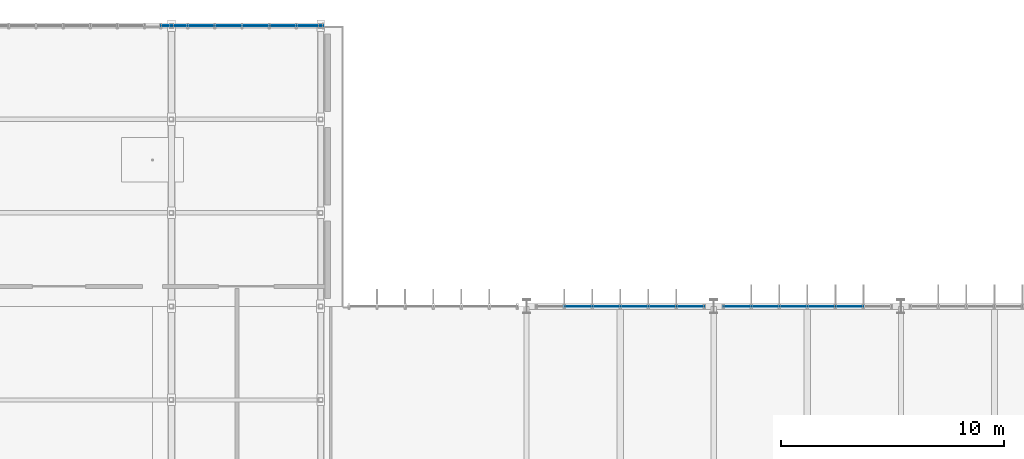
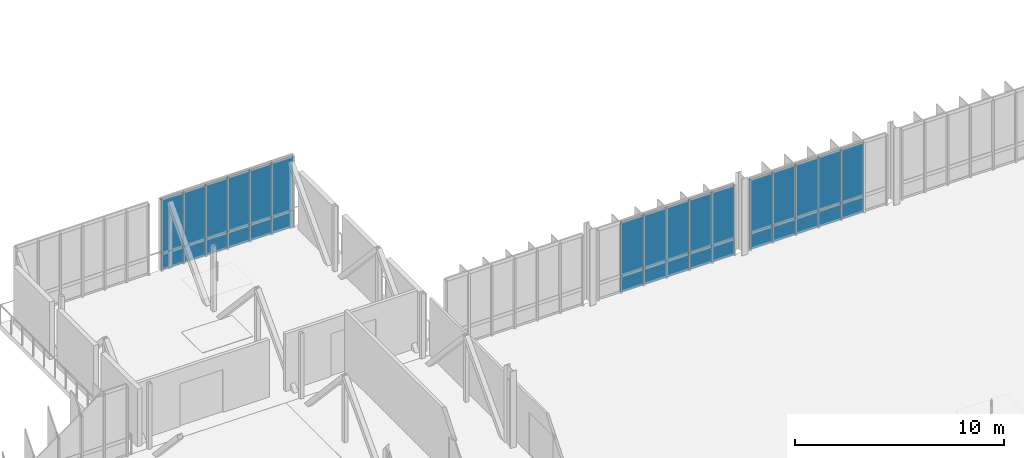
# One storey, part 93 of 139: 32 plates, 3 elements without a shape of their own.
"""IFC4 building model written with IfcOpenShell, lengths in metres."""

from ifc_helpers import new_model, si_unit, derived_unit, direction, frame, origin, origin_2d, place, context, subcontext, project, spatial, rectangle, extrude, material, layer, layer_set, type_object, element, aggregate, save


model = new_model("IFC4")

# Units and contexts
model_context = context("Model", 3, precision=1e-05, world=origin(), true_north=direction((0.0, 1.0)))
body_context = subcontext(model_context, "Body", "Model", "MODEL_VIEW")
ifc_project = project(units=[si_unit("LENGTHUNIT", "METRE"), si_unit("AREAUNIT", "SQUARE_METRE"), si_unit("VOLUMEUNIT", "CUBIC_METRE"), si_unit("PLANEANGLEUNIT", "RADIAN"), si_unit("MASSUNIT", "GRAM", prefix="KILO"), derived_unit("THERMALTRANSMITTANCEUNIT", [(si_unit("MASSUNIT", "GRAM", prefix="KILO"), 1), (si_unit("TIMEUNIT", "SECOND"), -3), (si_unit("THERMODYNAMICTEMPERATUREUNIT", "KELVIN"), -1)])], contexts=[model_context])

# Site, building, storey
site_placement = place(None, origin())
site = spatial("IfcSite", under=ifc_project, at=site_placement, CompositionType="ELEMENT")
building_placement = place(site_placement, origin())
building = spatial("IfcBuilding", under=site, at=building_placement, Name="Makaiwela Harbour Ferry Terminal", CompositionType="ELEMENT")
storey_placement = place(building_placement, frame((0.0, 0.0, 5.10009765625)))
storey = spatial("IfcBuildingStorey", under=building, at=storey_placement, Name="L01", CompositionType="ELEMENT", Elevation=5.10009765625)

# Curtain wall, plates
ifc_material_1 = material(Name="Marine anodised aluminium 6063-T6", Category="aluminium")
ifc_layer_1 = layer(ifc_material_1, 0.199951171875)
ifc_layer_set_1 = layer_set([ifc_layer_1], Name="Marine anodised aluminium 6063-T6")
curtain_wall_type_1 = type_object("IfcCurtainWallType", Name="ENV-CW-08", PredefinedType="USERDEFINED", material=ifc_layer_set_1)
curtain_wall_1_placement = place(storey_placement, origin())
curtain_wall_1 = element("IfcCurtainWall", 1, at=curtain_wall_1_placement, inside=storey, type_object=curtain_wall_type_1, Name="Unitised Curtain Wall CWA-087", ObjectType="UNITIZED CURTAIN WALL", PredefinedType="USERDEFINED")
ifc_material_2 = material(Name="Laminated hurricane-impact low-E insulated glazing", Category="glass")
ifc_layer_2 = layer(ifc_material_2, 0.031982421875)
ifc_layer_set_2 = layer_set([ifc_layer_2], Name="Laminated hurricane-impact low-E insulated glazing")
plate_type_1 = type_object("IfcPlateType", Name="CW-PNL-G12", PredefinedType="CURTAIN_PANEL", material=ifc_layer_set_2)
plate_1_placement = place(storey_placement, frame((115.7099609375, 103.39990234375, 0.949951171875), z_axis=(0.0, 0.0, 1.0), x_axis=(1.0, 0.0, 0.0)))
plate_1 = element("IfcPlate", 2, at=plate_1_placement, type_object=plate_type_1, Name="Glazed Vision Panel CWA-087-2G", PredefinedType="CURTAIN_PANEL", context=body_context, shape_type="SweptSolid", body=[
    extrude(rectangle(XDim=1.260009765625, YDim=0.031982421875, at=origin_2d()), origin(), (0.0, 0.0, 1.0), 3.14990234375),
])
plate_2_placement = place(storey_placement, frame((116.969970703125, 103.39990234375, 0.949951171875), z_axis=(0.0, 0.0, 1.0), x_axis=(1.0, 0.0, 0.0)))
plate_2 = element("IfcPlate", 3, at=plate_2_placement, type_object=plate_type_1, Name="Glazed Vision Panel CWA-087-3G", PredefinedType="CURTAIN_PANEL", context=body_context, shape_type="SweptSolid", body=[
    extrude(rectangle(XDim=1.260009765625, YDim=0.031982421875, at=origin_2d()), origin(), (0.0, 0.0, 1.0), 3.14990234375),
])
plate_3_placement = place(storey_placement, frame((118.22998046875, 103.39990234375, 0.949951171875), z_axis=(0.0, 0.0, 1.0), x_axis=(1.0, 0.0, 0.0)))
plate_3 = element("IfcPlate", 4, at=plate_3_placement, type_object=plate_type_1, Name="Glazed Vision Panel CWA-087-4G", PredefinedType="CURTAIN_PANEL", context=body_context, shape_type="SweptSolid", body=[
    extrude(rectangle(XDim=1.260009765625, YDim=0.031982421875, at=origin_2d()), origin(), (0.0, 0.0, 1.0), 3.14990234375),
])
plate_4_placement = place(storey_placement, frame((119.489990234375, 103.39990234375, 0.949951171875), z_axis=(0.0, 0.0, 1.0), x_axis=(1.0, 0.0, 0.0)))
plate_4 = element("IfcPlate", 5, at=plate_4_placement, type_object=plate_type_1, Name="Glazed Vision Panel CWA-087-5G", PredefinedType="CURTAIN_PANEL", context=body_context, shape_type="SweptSolid", body=[
    extrude(rectangle(XDim=1.260009765625, YDim=0.031982421875, at=origin_2d()), origin(), (0.0, 0.0, 1.0), 3.14990234375),
])
plate_5_placement = place(storey_placement, frame((120.75, 103.39990234375, 0.949951171875), z_axis=(0.0, 0.0, 1.0), x_axis=(1.0, 0.0, 0.0)))
plate_5 = element("IfcPlate", 6, at=plate_5_placement, type_object=plate_type_1, Name="Glazed Vision Panel CWA-087-6G", PredefinedType="CURTAIN_PANEL", context=body_context, shape_type="SweptSolid", body=[
    extrude(rectangle(XDim=1.260009765625, YDim=0.031982421875, at=origin_2d()), origin(), (0.0, 0.0, 1.0), 3.14990234375),
])

curtain_wall_2_placement = place(storey_placement, origin())
curtain_wall_2 = element("IfcCurtainWall", 7, at=curtain_wall_2_placement, inside=storey, type_object=curtain_wall_type_1, Name="Unitised Curtain Wall CWA-091", ObjectType="UNITIZED CURTAIN WALL", PredefinedType="USERDEFINED")
plate_6_placement = place(storey_placement, frame((122.85009765625, 103.39990234375, 0.949951171875), z_axis=(0.0, 0.0, 1.0), x_axis=(1.0, 0.0, 0.0)))
plate_6 = element("IfcPlate", 8, at=plate_6_placement, type_object=plate_type_1, Name="Glazed Vision Panel CWA-091-1G", PredefinedType="CURTAIN_PANEL", context=body_context, shape_type="SweptSolid", body=[
    extrude(rectangle(XDim=1.260009765625, YDim=0.031982421875, at=origin_2d()), origin(), (0.0, 0.0, 1.0), 3.14990234375),
])
plate_7_placement = place(storey_placement, frame((124.110107421875, 103.39990234375, 0.949951171875), z_axis=(0.0, 0.0, 1.0), x_axis=(1.0, 0.0, 0.0)))
plate_7 = element("IfcPlate", 9, at=plate_7_placement, type_object=plate_type_1, Name="Glazed Vision Panel CWA-091-2G", PredefinedType="CURTAIN_PANEL", context=body_context, shape_type="SweptSolid", body=[
    extrude(rectangle(XDim=1.260009765625, YDim=0.031982421875, at=origin_2d()), origin(), (0.0, 0.0, 1.0), 3.14990234375),
])
plate_8_placement = place(storey_placement, frame((125.3701171875, 103.39990234375, 0.949951171875), z_axis=(0.0, 0.0, 1.0), x_axis=(1.0, 0.0, 0.0)))
plate_8 = element("IfcPlate", 10, at=plate_8_placement, type_object=plate_type_1, Name="Glazed Vision Panel CWA-091-3G", PredefinedType="CURTAIN_PANEL", context=body_context, shape_type="SweptSolid", body=[
    extrude(rectangle(XDim=1.260009765625, YDim=0.031982421875, at=origin_2d()), origin(), (0.0, 0.0, 1.0), 3.14990234375),
])
plate_9_placement = place(storey_placement, frame((126.6298828125, 103.39990234375, 0.949951171875), z_axis=(0.0, 0.0, 1.0), x_axis=(1.0, 0.0, 0.0)))
plate_9 = element("IfcPlate", 11, at=plate_9_placement, type_object=plate_type_1, Name="Glazed Vision Panel CWA-091-4G", PredefinedType="CURTAIN_PANEL", context=body_context, shape_type="SweptSolid", body=[
    extrude(rectangle(XDim=1.260009765625, YDim=0.031982421875, at=origin_2d()), origin(), (0.0, 0.0, 1.0), 3.14990234375),
])
plate_10_placement = place(storey_placement, frame((127.889892578125, 103.39990234375, 0.949951171875), z_axis=(0.0, 0.0, 1.0), x_axis=(1.0, 0.0, 0.0)))
plate_10 = element("IfcPlate", 12, at=plate_10_placement, type_object=plate_type_1, Name="Glazed Vision Panel CWA-091-5G", PredefinedType="CURTAIN_PANEL", context=body_context, shape_type="SweptSolid", body=[
    extrude(rectangle(XDim=1.260009765625, YDim=0.031982421875, at=origin_2d()), origin(), (0.0, 0.0, 1.0), 3.14990234375),
])

ifc_layer_3 = layer(ifc_material_1, 0.199951171875)
ifc_layer_set_3 = layer_set([ifc_layer_3], Name="Marine anodised aluminium 6063-T6")
curtain_wall_type_2 = type_object("IfcCurtainWallType", Name="ENV-CW-20", PredefinedType="USERDEFINED", material=ifc_layer_set_3)
curtain_wall_3_placement = place(storey_placement, origin())
curtain_wall_3 = element("IfcCurtainWall", 13, at=curtain_wall_3_placement, inside=storey, type_object=curtain_wall_type_2, Name="Unitised Curtain Wall CWA-133", ObjectType="UNITIZED CURTAIN WALL", PredefinedType="USERDEFINED")
plate_11_placement = place(storey_placement, frame((97.569091796875, 116.0, 0.94970703125), z_axis=(0.0, 0.0, 1.0), x_axis=(1.0, 0.0, 0.0)))
plate_11 = element("IfcPlate", 14, at=plate_11_placement, type_object=plate_type_1, Name="Glazed Vision Panel CWA-133-1G", PredefinedType="CURTAIN_PANEL", context=body_context, shape_type="SweptSolid", body=[
    extrude(rectangle(XDim=1.21826171875, YDim=0.031982421875, at=origin_2d()), origin(), (0.0, 0.0, 1.0), 3.199951171875),
])
plate_12_placement = place(storey_placement, frame((98.78759765625, 116.0, 0.94970703125), z_axis=(0.0, 0.0, 1.0), x_axis=(1.0, 0.0, 0.0)))
plate_12 = element("IfcPlate", 15, at=plate_12_placement, type_object=plate_type_1, Name="Glazed Vision Panel CWA-133-2G", PredefinedType="CURTAIN_PANEL", context=body_context, shape_type="SweptSolid", body=[
    extrude(rectangle(XDim=1.21826171875, YDim=0.031982421875, at=origin_2d()), origin(), (0.0, 0.0, 1.0), 3.199951171875),
])
plate_13_placement = place(storey_placement, frame((100.005859375, 116.0, 0.94970703125), z_axis=(0.0, 0.0, 1.0), x_axis=(1.0, 0.0, 0.0)))
plate_13 = element("IfcPlate", 16, at=plate_13_placement, type_object=plate_type_1, Name="Glazed Vision Panel CWA-133-3G", PredefinedType="CURTAIN_PANEL", context=body_context, shape_type="SweptSolid", body=[
    extrude(rectangle(XDim=1.21826171875, YDim=0.031982421875, at=origin_2d()), origin(), (0.0, 0.0, 1.0), 3.199951171875),
])
plate_14_placement = place(storey_placement, frame((101.22412109375, 116.0, 0.94970703125), z_axis=(0.0, 0.0, 1.0), x_axis=(1.0, 0.0, 0.0)))
plate_14 = element("IfcPlate", 17, at=plate_14_placement, type_object=plate_type_1, Name="Glazed Vision Panel CWA-133-4G", PredefinedType="CURTAIN_PANEL", context=body_context, shape_type="SweptSolid", body=[
    extrude(rectangle(XDim=1.21826171875, YDim=0.031982421875, at=origin_2d()), origin(), (0.0, 0.0, 1.0), 3.199951171875),
])
plate_15_placement = place(storey_placement, frame((102.4423828125, 116.0, 0.94970703125), z_axis=(0.0, 0.0, 1.0), x_axis=(1.0, 0.0, 0.0)))
plate_15 = element("IfcPlate", 18, at=plate_15_placement, type_object=plate_type_1, Name="Glazed Vision Panel CWA-133-5G", PredefinedType="CURTAIN_PANEL", context=body_context, shape_type="SweptSolid", body=[
    extrude(rectangle(XDim=1.21826171875, YDim=0.031982421875, at=origin_2d()), origin(), (0.0, 0.0, 1.0), 3.199951171875),
])
plate_16_placement = place(storey_placement, frame((103.660888671875, 116.0, 0.94970703125), z_axis=(0.0, 0.0, 1.0), x_axis=(1.0, 0.0, 0.0)))
plate_16 = element("IfcPlate", 19, at=plate_16_placement, type_object=plate_type_1, Name="Glazed Vision Panel CWA-133-6G", PredefinedType="CURTAIN_PANEL", context=body_context, shape_type="SweptSolid", body=[
    extrude(rectangle(XDim=1.21826171875, YDim=0.031982421875, at=origin_2d()), origin(), (0.0, 0.0, 1.0), 3.199951171875),
])

# Plate
ifc_material_3 = material(Name="Insulated marine aluminium spandrel panel", Category="aluminium")
ifc_layer_4 = layer(ifc_material_3, 0.048095703125)
ifc_layer_set_4 = layer_set([ifc_layer_4], Name="Insulated marine aluminium spandrel panel")
plate_type_2 = type_object("IfcPlateType", Name="CW-PNL-S11", PredefinedType="CURTAIN_PANEL", material=ifc_layer_set_4)
plate_17_placement = place(storey_placement, frame((115.7099609375, 103.39990234375, 0.0), z_axis=(0.0, 0.0, 1.0), x_axis=(1.0, 0.0, 0.0)))
plate_17 = element("IfcPlate", 20, at=plate_17_placement, type_object=plate_type_2, Name="Spandrel Panel CWA-087-2S", PredefinedType="CURTAIN_PANEL", context=body_context, shape_type="SweptSolid", body=[
    extrude(rectangle(XDim=1.260009765625, YDim=0.048095703125, at=origin_2d()), origin(), (0.0, 0.0, 1.0), 0.949951171875),
])

plate_18_placement = place(storey_placement, frame((116.969970703125, 103.39990234375, 0.0), z_axis=(0.0, 0.0, 1.0), x_axis=(1.0, 0.0, 0.0)))
plate_18 = element("IfcPlate", 21, at=plate_18_placement, type_object=plate_type_2, Name="Spandrel Panel CWA-087-3S", PredefinedType="CURTAIN_PANEL", context=body_context, shape_type="SweptSolid", body=[
    extrude(rectangle(XDim=1.260009765625, YDim=0.048095703125, at=origin_2d()), origin(), (0.0, 0.0, 1.0), 0.949951171875),
])

plate_19_placement = place(storey_placement, frame((118.22998046875, 103.39990234375, 0.0), z_axis=(0.0, 0.0, 1.0), x_axis=(1.0, 0.0, 0.0)))
plate_19 = element("IfcPlate", 22, at=plate_19_placement, type_object=plate_type_2, Name="Spandrel Panel CWA-087-4S", PredefinedType="CURTAIN_PANEL", context=body_context, shape_type="SweptSolid", body=[
    extrude(rectangle(XDim=1.260009765625, YDim=0.048095703125, at=origin_2d()), origin(), (0.0, 0.0, 1.0), 0.949951171875),
])

plate_20_placement = place(storey_placement, frame((119.489990234375, 103.39990234375, 0.0), z_axis=(0.0, 0.0, 1.0), x_axis=(1.0, 0.0, 0.0)))
plate_20 = element("IfcPlate", 23, at=plate_20_placement, type_object=plate_type_2, Name="Spandrel Panel CWA-087-5S", PredefinedType="CURTAIN_PANEL", context=body_context, shape_type="SweptSolid", body=[
    extrude(rectangle(XDim=1.260009765625, YDim=0.048095703125, at=origin_2d()), origin(), (0.0, 0.0, 1.0), 0.949951171875),
])

plate_21_placement = place(storey_placement, frame((120.75, 103.39990234375, 0.0), z_axis=(0.0, 0.0, 1.0), x_axis=(1.0, 0.0, 0.0)))
plate_21 = element("IfcPlate", 24, at=plate_21_placement, type_object=plate_type_2, Name="Spandrel Panel CWA-087-6S", PredefinedType="CURTAIN_PANEL", context=body_context, shape_type="SweptSolid", body=[
    extrude(rectangle(XDim=1.260009765625, YDim=0.048095703125, at=origin_2d()), origin(), (0.0, 0.0, 1.0), 0.949951171875),
])

aggregate(curtain_wall_1, [plate_17, plate_1, plate_18, plate_2, plate_19, plate_3, plate_20, plate_4, plate_21, plate_5])

plate_22_placement = place(storey_placement, frame((122.85009765625, 103.39990234375, 0.0), z_axis=(0.0, 0.0, 1.0), x_axis=(1.0, 0.0, 0.0)))
plate_22 = element("IfcPlate", 25, at=plate_22_placement, type_object=plate_type_2, Name="Spandrel Panel CWA-091-1S", PredefinedType="CURTAIN_PANEL", context=body_context, shape_type="SweptSolid", body=[
    extrude(rectangle(XDim=1.260009765625, YDim=0.048095703125, at=origin_2d()), origin(), (0.0, 0.0, 1.0), 0.949951171875),
])

plate_23_placement = place(storey_placement, frame((124.110107421875, 103.39990234375, 0.0), z_axis=(0.0, 0.0, 1.0), x_axis=(1.0, 0.0, 0.0)))
plate_23 = element("IfcPlate", 26, at=plate_23_placement, type_object=plate_type_2, Name="Spandrel Panel CWA-091-2S", PredefinedType="CURTAIN_PANEL", context=body_context, shape_type="SweptSolid", body=[
    extrude(rectangle(XDim=1.260009765625, YDim=0.048095703125, at=origin_2d()), origin(), (0.0, 0.0, 1.0), 0.949951171875),
])

plate_24_placement = place(storey_placement, frame((125.3701171875, 103.39990234375, 0.0), z_axis=(0.0, 0.0, 1.0), x_axis=(1.0, 0.0, 0.0)))
plate_24 = element("IfcPlate", 27, at=plate_24_placement, type_object=plate_type_2, Name="Spandrel Panel CWA-091-3S", PredefinedType="CURTAIN_PANEL", context=body_context, shape_type="SweptSolid", body=[
    extrude(rectangle(XDim=1.260009765625, YDim=0.048095703125, at=origin_2d()), origin(), (0.0, 0.0, 1.0), 0.949951171875),
])

plate_25_placement = place(storey_placement, frame((126.6298828125, 103.39990234375, 0.0), z_axis=(0.0, 0.0, 1.0), x_axis=(1.0, 0.0, 0.0)))
plate_25 = element("IfcPlate", 28, at=plate_25_placement, type_object=plate_type_2, Name="Spandrel Panel CWA-091-4S", PredefinedType="CURTAIN_PANEL", context=body_context, shape_type="SweptSolid", body=[
    extrude(rectangle(XDim=1.260009765625, YDim=0.048095703125, at=origin_2d()), origin(), (0.0, 0.0, 1.0), 0.949951171875),
])

plate_26_placement = place(storey_placement, frame((127.889892578125, 103.39990234375, 0.0), z_axis=(0.0, 0.0, 1.0), x_axis=(1.0, 0.0, 0.0)))
plate_26 = element("IfcPlate", 29, at=plate_26_placement, type_object=plate_type_2, Name="Spandrel Panel CWA-091-5S", PredefinedType="CURTAIN_PANEL", context=body_context, shape_type="SweptSolid", body=[
    extrude(rectangle(XDim=1.260009765625, YDim=0.048095703125, at=origin_2d()), origin(), (0.0, 0.0, 1.0), 0.949951171875),
])

aggregate(curtain_wall_2, [plate_22, plate_6, plate_23, plate_7, plate_24, plate_8, plate_25, plate_9, plate_26, plate_10])

plate_27_placement = place(storey_placement, frame((97.569091796875, 116.0, 0.0), z_axis=(0.0, 0.0, 1.0), x_axis=(1.0, 0.0, 0.0)))
plate_27 = element("IfcPlate", 30, at=plate_27_placement, type_object=plate_type_2, Name="Spandrel Panel CWA-133-1S", PredefinedType="CURTAIN_PANEL", context=body_context, shape_type="SweptSolid", body=[
    extrude(rectangle(XDim=1.21826171875, YDim=0.048095703125, at=origin_2d()), origin(), (0.0, 0.0, 1.0), 0.949951171875),
])

plate_28_placement = place(storey_placement, frame((98.78759765625, 116.0, 0.0), z_axis=(0.0, 0.0, 1.0), x_axis=(1.0, 0.0, 0.0)))
plate_28 = element("IfcPlate", 31, at=plate_28_placement, type_object=plate_type_2, Name="Spandrel Panel CWA-133-2S", PredefinedType="CURTAIN_PANEL", context=body_context, shape_type="SweptSolid", body=[
    extrude(rectangle(XDim=1.21826171875, YDim=0.048095703125, at=origin_2d()), origin(), (0.0, 0.0, 1.0), 0.949951171875),
])

plate_29_placement = place(storey_placement, frame((100.005859375, 116.0, 0.0), z_axis=(0.0, 0.0, 1.0), x_axis=(1.0, 0.0, 0.0)))
plate_29 = element("IfcPlate", 32, at=plate_29_placement, type_object=plate_type_2, Name="Spandrel Panel CWA-133-3S", PredefinedType="CURTAIN_PANEL", context=body_context, shape_type="SweptSolid", body=[
    extrude(rectangle(XDim=1.21826171875, YDim=0.048095703125, at=origin_2d()), origin(), (0.0, 0.0, 1.0), 0.949951171875),
])

plate_30_placement = place(storey_placement, frame((101.22412109375, 116.0, 0.0), z_axis=(0.0, 0.0, 1.0), x_axis=(1.0, 0.0, 0.0)))
plate_30 = element("IfcPlate", 33, at=plate_30_placement, type_object=plate_type_2, Name="Spandrel Panel CWA-133-4S", PredefinedType="CURTAIN_PANEL", context=body_context, shape_type="SweptSolid", body=[
    extrude(rectangle(XDim=1.21826171875, YDim=0.048095703125, at=origin_2d()), origin(), (0.0, 0.0, 1.0), 0.949951171875),
])

plate_31_placement = place(storey_placement, frame((102.4423828125, 116.0, 0.0), z_axis=(0.0, 0.0, 1.0), x_axis=(1.0, 0.0, 0.0)))
plate_31 = element("IfcPlate", 34, at=plate_31_placement, type_object=plate_type_2, Name="Spandrel Panel CWA-133-5S", PredefinedType="CURTAIN_PANEL", context=body_context, shape_type="SweptSolid", body=[
    extrude(rectangle(XDim=1.21826171875, YDim=0.048095703125, at=origin_2d()), origin(), (0.0, 0.0, 1.0), 0.949951171875),
])

plate_32_placement = place(storey_placement, frame((103.660888671875, 116.0, 0.0), z_axis=(0.0, 0.0, 1.0), x_axis=(1.0, 0.0, 0.0)))
plate_32 = element("IfcPlate", 35, at=plate_32_placement, type_object=plate_type_2, Name="Spandrel Panel CWA-133-6S", PredefinedType="CURTAIN_PANEL", context=body_context, shape_type="SweptSolid", body=[
    extrude(rectangle(XDim=1.21826171875, YDim=0.048095703125, at=origin_2d()), origin(), (0.0, 0.0, 1.0), 0.949951171875),
])

aggregate(curtain_wall_3, [plate_27, plate_11, plate_28, plate_12, plate_29, plate_13, plate_30, plate_14, plate_31, plate_15, plate_32, plate_16])

save(model, "model.ifc")
